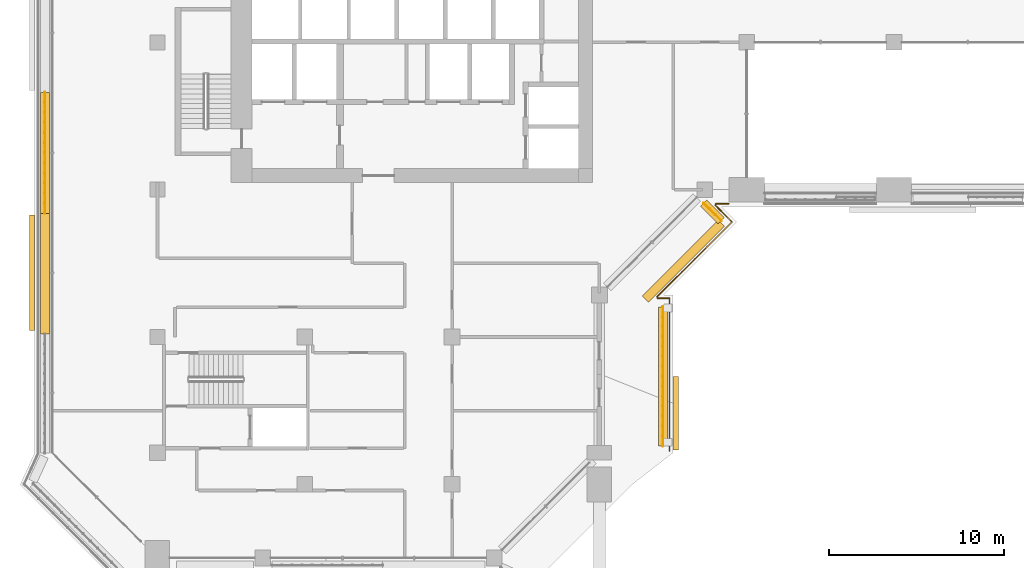
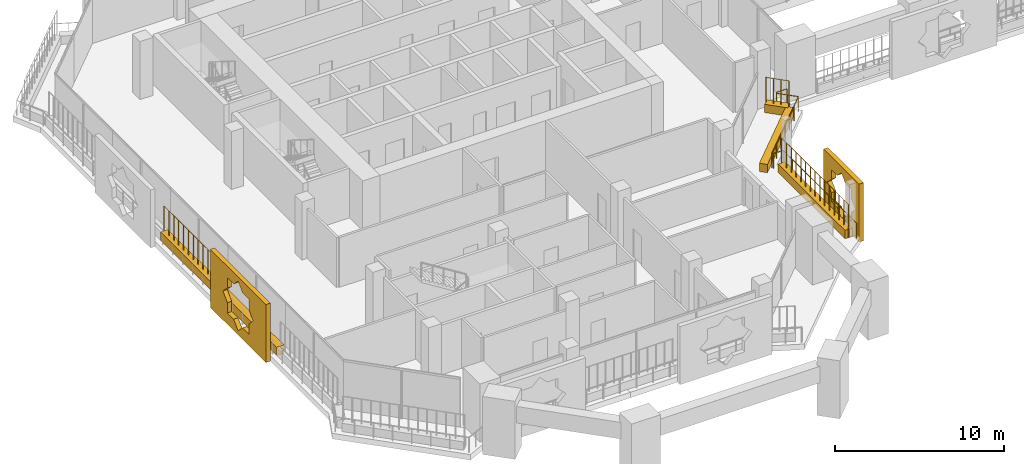
# One storey, part 18 of 23: 7 coverings, 4 railings.
"""IFC4 building model written with IfcOpenShell, lengths in metres."""

from ifc_helpers import new_model, si_unit, direction, frame, origin, origin_2d, place, context, subcontext, project, spatial, polyline, rectangle, circle, outline, extrude, material, material_profile, profile_set, type_object, element, save


model = new_model("IFC4")

# Units and contexts
model_context = context("Model", 3, precision=1e-05, world=origin(), true_north=direction((0.0, 1.0)))
body_context = subcontext(model_context, "Body", "Model", "MODEL_VIEW")
ifc_project = project(units=[si_unit("LENGTHUNIT", "METRE"), si_unit("AREAUNIT", "SQUARE_METRE"), si_unit("VOLUMEUNIT", "CUBIC_METRE"), si_unit("PLANEANGLEUNIT", "RADIAN"), si_unit("MASSUNIT", "GRAM", prefix="KILO")], contexts=[model_context])

# Site, building, storey
site_placement = place(None, origin())
site = spatial("IfcSite", under=ifc_project, at=site_placement, CompositionType="ELEMENT")
building_placement = place(site_placement, origin())
building = spatial("IfcBuilding", under=site, at=building_placement, Name="Kawkab Arch Medical Tower", CompositionType="ELEMENT")
storey_placement = place(building_placement, frame((0.0, 0.0, 222.199951171875)))
storey = spatial("IfcBuildingStorey", under=building, at=storey_placement, Name="L51", CompositionType="ELEMENT", Elevation=222.199951171875)

# Railing
ifc_material_1 = material(Name="Bronze anodised aluminium guard", Category="aluminium")
railing_type_1 = type_object("IfcRailingType", Name="Loggia and terrace guard 1100", PredefinedType="GUARDRAIL", material=ifc_material_1)
railing_1_placement = place(storey_placement, frame((32.570068359375, -26.0, 0.0)))
element("IfcRailing", 1, at=railing_1_placement, inside=storey, type_object=railing_type_1, Name="Guard L51.LOG-01.2.5", PredefinedType="GUARDRAIL", context=body_context, shape_type="SweptSolid", body=[
    extrude(circle(Radius=0.02392578125, at=origin_2d()), frame((0.0, 0.0, 1.076171875), z_axis=(-1.0, 0.0, 0.0), x_axis=(0.0, -1.0, 0.0)), (0.0, 0.0, 1.0), 0.719970703125),
    extrude(circle(Radius=0.02392578125, at=origin_2d()), frame((-0.719970703125, 0.0, 1.076171875), z_axis=(-0.383763674343, -0.923431341387, 0.0), x_axis=(0.923431341387, -0.383763674343, 0.0)), (0.0, 0.0, 1.0), 0.101806640625),
    extrude(circle(Radius=0.02392578125, at=origin_2d()), frame((-0.759033203125, -0.093994140625, 1.076171875), z_axis=(0.707015335112, -0.707198215437, 0.0), x_axis=(0.707198215437, 0.707015335112, 0.0)), (0.0, 0.0, 1.0), 1.3349609375),
    extrude(circle(Radius=0.02392578125, at=origin_2d()), frame((0.184814453125, -1.0380859375, 1.076171875), z_axis=(-0.707025867263, -0.707187685852, 0.0), x_axis=(0.707187685852, -0.707025867263, 0.0)), (0.0, 0.0, 1.0), 6.034912109375),
    extrude(circle(Radius=0.02392578125, at=origin_2d()), frame((-4.08203125, -5.305908203125, 1.076171875), z_axis=(0.383763674343, -0.923431341387, 0.0), x_axis=(0.923431341387, 0.383763674343, 0.0)), (0.0, 0.0, 1.0), 0.101806640625),
    extrude(circle(Radius=0.02392578125, at=origin_2d()), frame((-4.04296875, -5.39990234375, 1.076171875), z_axis=(1.0, 0.0, 0.0), x_axis=(0.0, 1.0, 0.0)), (0.0, 0.0, 1.0), 0.6728515625),
    extrude(circle(Radius=0.02392578125, at=origin_2d()), frame((-3.3701171875, -5.39990234375, 1.076171875), z_axis=(0.0, -1.0, 0.0), x_axis=(1.0, 0.0, 0.0)), (0.0, 0.0, 1.0), 8.7021484375),
    extrude(circle(Radius=0.02099609375, at=origin_2d()), origin(), (0.0, 0.0, 1.0), 1.052001953125),
    extrude(circle(Radius=0.02099609375, at=origin_2d()), frame((-0.719970703125, 0.0, 0.0)), (0.0, 0.0, 1.0), 1.052001953125),
    extrude(circle(Radius=0.02099609375, at=origin_2d()), frame((-0.759033203125, -0.093994140625, 0.0)), (0.0, 0.0, 1.0), 1.052001953125),
    extrude(circle(Radius=0.02099609375, at=origin_2d()), frame((-0.287109375, -0.56591796875, 0.0)), (0.0, 0.0, 1.0), 1.052001953125),
    extrude(circle(Radius=0.02099609375, at=origin_2d()), frame((0.184814453125, -1.0380859375, 0.0)), (0.0, 0.0, 1.0), 1.052001953125),
    extrude(circle(Radius=0.02099609375, at=origin_2d()), frame((-0.5263671875, -1.74951171875, 0.0)), (0.0, 0.0, 1.0), 1.052001953125),
    extrude(circle(Radius=0.02099609375, at=origin_2d()), frame((-1.237548828125, -2.460693359375, 0.0)), (0.0, 0.0, 1.0), 1.052001953125),
    extrude(circle(Radius=0.02099609375, at=origin_2d()), frame((-1.94873046875, -3.171875, 0.0)), (0.0, 0.0, 1.0), 1.052001953125),
    extrude(circle(Radius=0.02099609375, at=origin_2d()), frame((-2.65966796875, -3.88330078125, 0.0)), (0.0, 0.0, 1.0), 1.052001953125),
    extrude(circle(Radius=0.02099609375, at=origin_2d()), frame((-3.370849609375, -4.5947265625, 0.0)), (0.0, 0.0, 1.0), 1.052001953125),
    extrude(circle(Radius=0.02099609375, at=origin_2d()), frame((-4.08203125, -5.305908203125, 0.0)), (0.0, 0.0, 1.0), 1.052001953125),
    extrude(circle(Radius=0.02099609375, at=origin_2d()), frame((-4.04296875, -5.39990234375, 0.0)), (0.0, 0.0, 1.0), 1.052001953125),
    extrude(circle(Radius=0.02099609375, at=origin_2d()), frame((-3.3701171875, -5.39990234375, 0.0)), (0.0, 0.0, 1.0), 1.052001953125),
    extrude(circle(Radius=0.02099609375, at=origin_2d()), frame((-3.3701171875, -6.48779296875, 0.0)), (0.0, 0.0, 1.0), 1.052001953125),
    extrude(circle(Radius=0.02099609375, at=origin_2d()), frame((-3.3701171875, -7.575439453125, 0.0)), (0.0, 0.0, 1.0), 1.052001953125),
    extrude(circle(Radius=0.02099609375, at=origin_2d()), frame((-3.3701171875, -8.6630859375, 0.0)), (0.0, 0.0, 1.0), 1.052001953125),
    extrude(circle(Radius=0.02099609375, at=origin_2d()), frame((-3.3701171875, -9.7509765625, 0.0)), (0.0, 0.0, 1.0), 1.052001953125),
    extrude(circle(Radius=0.02099609375, at=origin_2d()), frame((-3.3701171875, -10.8388671875, 0.0)), (0.0, 0.0, 1.0), 1.052001953125),
    extrude(circle(Radius=0.02099609375, at=origin_2d()), frame((-3.3701171875, -11.926513671875, 0.0)), (0.0, 0.0, 1.0), 1.052001953125),
    extrude(circle(Radius=0.02099609375, at=origin_2d()), frame((-3.3701171875, -13.01416015625, 0.0)), (0.0, 0.0, 1.0), 1.052001953125),
    extrude(circle(Radius=0.02099609375, at=origin_2d()), frame((-3.3701171875, -14.10205078125, 0.0)), (0.0, 0.0, 1.0), 1.052001953125),
])

# Coverings
ifc_material_2 = material(Name="Bronze anodised aluminium mashrabiya panel, eight-point star pattern", Category="aluminium")
ifc_material_profile_1 = material_profile(ifc_material_2, outline(polyline([(-2.10009765625, -2.10009765625), (2.10009765625, -2.10009765625), (2.10009765625, 2.10009765625), (-2.10009765625, 2.10009765625), (-2.10009765625, -2.10009765625)]), holes=[polyline([(1.64990234375, 0.0), (1.166748046875, 0.4833984375), (1.166748046875, 1.166748046875), (0.4833984375, 1.166748046875), (0.0, 1.64990234375), (-0.4833984375, 1.166748046875), (-1.166748046875, 1.166748046875), (-1.166748046875, 0.4833984375), (-1.64990234375, 0.0), (-1.166748046875, -0.4833984375), (-1.166748046875, -1.166748046875), (-0.4833984375, -1.166748046875), (0.0, -1.64990234375), (0.4833984375, -1.166748046875), (1.166748046875, -1.166748046875), (1.166748046875, -0.4833984375), (1.64990234375, 0.0)])]), Name="Mashrabiya panel 4200x4200")
ifc_profile_set_1 = profile_set([ifc_material_profile_1], Name="Bronze anodised aluminium mashrabiya panel, eight-point star pattern")
covering_type_1 = type_object("IfcCoveringType", Name="Mashrabiya panel 4200 x 4200", PredefinedType="USERDEFINED", material=ifc_profile_set_1)
covering_1_placement = place(storey_placement, frame((29.39990234375, -37.94873046875, 1.699951171875), z_axis=(1.0, 0.0, 0.0), x_axis=(0.0, 1.0, 0.0)))
element("IfcCovering", 2, at=covering_1_placement, inside=storey, type_object=covering_type_1, Name="Mashrabiya panel L51.LOG-01-02.12", ObjectType="SCREEN", PredefinedType="USERDEFINED", context=body_context, shape_type="SweptSolid", body=[
    extrude(outline(polyline([(-2.10009765625, -2.10009765625), (2.10009765625, -2.10009765625), (2.10009765625, 2.10009765625), (-2.10009765625, 2.10009765625), (-2.10009765625, -2.10009765625)]), holes=[polyline([(1.64990234375, 0.0), (1.166748046875, 0.4833984375), (1.166748046875, 1.166748046875), (0.4833984375, 1.166748046875), (0.0, 1.64990234375), (-0.4833984375, 1.166748046875), (-1.166748046875, 1.166748046875), (-1.166748046875, 0.4833984375), (-1.64990234375, 0.0), (-1.166748046875, -0.4833984375), (-1.166748046875, -1.166748046875), (-0.4833984375, -1.166748046875), (0.0, -1.64990234375), (0.4833984375, -1.166748046875), (1.166748046875, -1.166748046875), (1.166748046875, -0.4833984375), (1.64990234375, 0.0)])]), origin(), (0.0, 0.0, 1.0), 0.300048828125),
])
ifc_material_3 = material(Name="Bronze anodised aluminium mashrabiya panel, eight-point star pattern", Category="aluminium")
ifc_material_profile_2 = material_profile(ifc_material_3, outline(polyline([(-3.300048828125, -2.10009765625), (3.300048828125, -2.10009765625), (3.300048828125, 2.10009765625), (-3.300048828125, 2.10009765625), (-3.300048828125, -2.10009765625)]), holes=[polyline([(1.800048828125, 0.0), (1.272705078125, 0.527099609375), (1.272705078125, 1.272705078125), (0.527099609375, 1.272705078125), (0.0, 1.800048828125), (-0.527099609375, 1.272705078125), (-1.272705078125, 1.272705078125), (-1.272705078125, 0.527099609375), (-1.800048828125, 0.0), (-1.272705078125, -0.527099609375), (-1.272705078125, -1.272705078125), (-0.527099609375, -1.272705078125), (0.0, -1.800048828125), (0.527099609375, -1.272705078125), (1.272705078125, -1.272705078125), (1.272705078125, -0.527099609375), (1.800048828125, 0.0)])]), Name="Mashrabiya panel 6600x4200")
ifc_profile_set_2 = profile_set([ifc_material_profile_2], Name="Bronze anodised aluminium mashrabiya panel, eight-point star pattern")
covering_type_2 = type_object("IfcCoveringType", Name="Mashrabiya panel 6600 x 4200", PredefinedType="USERDEFINED", material=ifc_profile_set_2)
covering_2_placement = place(storey_placement, frame((-7.0, -29.94091796875, 1.699951171875), z_axis=(-1.0, 0.0, 0.0), x_axis=(0.0, -1.0, 0.0)))
element("IfcCovering", 3, at=covering_2_placement, inside=storey, type_object=covering_type_2, Name="Mashrabiya panel L51.LOG-01-02.3", ObjectType="SCREEN", PredefinedType="USERDEFINED", context=body_context, shape_type="SweptSolid", body=[
    extrude(outline(polyline([(-3.300048828125, -2.10009765625), (3.300048828125, -2.10009765625), (3.300048828125, 2.10009765625), (-3.300048828125, 2.10009765625), (-3.300048828125, -2.10009765625)]), holes=[polyline([(1.800048828125, 0.0), (1.272705078125, 0.527099609375), (1.272705078125, 1.272705078125), (0.527099609375, 1.272705078125), (0.0, 1.800048828125), (-0.527099609375, 1.272705078125), (-1.272705078125, 1.272705078125), (-1.272705078125, 0.527099609375), (-1.800048828125, 0.0), (-1.272705078125, -0.527099609375), (-1.272705078125, -1.272705078125), (-0.527099609375, -1.272705078125), (0.0, -1.800048828125), (0.527099609375, -1.272705078125), (1.272705078125, -1.272705078125), (1.272705078125, -0.527099609375), (1.800048828125, 0.0)])]), origin(), (0.0, 0.0, 1.0), 0.300048828125),
])
ifc_material_4 = material(Name="Planting soil in a precast trough", Category="concrete")
ifc_material_profile_3 = material_profile(ifc_material_4, rectangle(XDim=0.5, YDim=0.60009765625, at=origin_2d()), Name="Trough 500x600")
ifc_profile_set_3 = profile_set([ifc_material_profile_3], Name="Planting soil in a precast trough")
covering_type_3 = type_object("IfcCoveringType", Name="Planter trough 500 x 600", PredefinedType="USERDEFINED", material=ifc_profile_set_3)
covering_3_placement = place(storey_placement, frame((-6.419921875, -33.43603515625, 0.300048828125), z_axis=(0.0, 1.0, 0.0), x_axis=(-1.0, 0.0, 0.0)))
element("IfcCovering", 4, at=covering_3_placement, inside=storey, type_object=covering_type_3, Name="Planter L51.LOG-01-02.8", ObjectType="PLANTER", PredefinedType="USERDEFINED", context=body_context, shape_type="SweptSolid", body=[
    extrude(rectangle(XDim=0.5, YDim=0.60009765625, at=origin_2d()), origin(), (0.0, 0.0, 1.0), 6.89111328125),
])
covering_4_placement = place(storey_placement, frame((-6.419921875, -26.544921875, 0.300048828125), z_axis=(0.0, 1.0, 0.0), x_axis=(-1.0, 0.0, 0.0)))
element("IfcCovering", 5, at=covering_4_placement, inside=storey, type_object=covering_type_3, Name="Planter L51.LOG-01-02.9", ObjectType="PLANTER", PredefinedType="USERDEFINED", context=body_context, shape_type="SweptSolid", body=[
    extrude(rectangle(XDim=0.5, YDim=0.60009765625, at=origin_2d()), origin(), (0.0, 0.0, 1.0), 6.889892578125),
])
covering_5_placement = place(storey_placement, frame((31.14306640625, -25.962890625, 0.300048828125), z_axis=(0.707020805532, -0.707192746389, 0.0), x_axis=(0.707192746389, 0.707020805532, 0.0)))
element("IfcCovering", 6, at=covering_5_placement, inside=storey, type_object=covering_type_3, Name="Planter L51.LOG-01-02.43", ObjectType="PLANTER", PredefinedType="USERDEFINED", context=body_context, shape_type="SweptSolid", body=[
    extrude(rectangle(XDim=0.5, YDim=0.60009765625, at=origin_2d()), origin(), (0.0, 0.0, 1.0), 1.419921875),
])
covering_6_placement = place(storey_placement, frame((32.14697265625, -27.10888671875, 0.300048828125), z_axis=(-0.707007043994, -0.707206504313, 0.0), x_axis=(0.707206504313, -0.707007043994, 0.0)))
element("IfcCovering", 7, at=covering_6_placement, inside=storey, type_object=covering_type_3, Name="Planter L51.LOG-01-02.44", ObjectType="PLANTER", PredefinedType="USERDEFINED", context=body_context, shape_type="SweptSolid", body=[
    extrude(rectangle(XDim=0.5, YDim=0.60009765625, at=origin_2d()), origin(), (0.0, 0.0, 1.0), 6.1201171875),
])
covering_7_placement = place(storey_placement, frame((28.820068359375, -31.8798828125, 0.300048828125), z_axis=(0.0, -1.0, 0.0), x_axis=(1.0, 0.0, 0.0)))
element("IfcCovering", 8, at=covering_7_placement, inside=storey, type_object=covering_type_3, Name="Planter L51.LOG-01-02.45", ObjectType="PLANTER", PredefinedType="USERDEFINED", context=body_context, shape_type="SweptSolid", body=[
    extrude(rectangle(XDim=0.5, YDim=0.60009765625, at=origin_2d()), origin(), (0.0, 0.0, 1.0), 7.93603515625),
])

# Railings
ifc_material_5 = material(Name="Bronze anodised aluminium trellis for climbing plants", Category="aluminium")
railing_type_2 = type_object("IfcRailingType", Name="Planting trellis 2400", PredefinedType="USERDEFINED", material=ifc_material_5)
railing_2_placement = place(storey_placement, frame((-6.419921875, -26.544921875, 0.0)))
element("IfcRailing", 9, at=railing_2_placement, inside=storey, type_object=railing_type_2, Name="Planting trellis L51.LOG-01-02.9", ObjectType="TRELLIS", PredefinedType="USERDEFINED", context=body_context, shape_type="SweptSolid", body=[
    extrude(circle(Radius=0.01513671875, at=origin_2d()), frame((0.0, 0.0, 2.384765625), z_axis=(0.0, 1.0, 0.0), x_axis=(-1.0, 0.0, 0.0)), (0.0, 0.0, 1.0), 6.889892578125),
    extrude(circle(Radius=0.030029296875, at=origin_2d()), origin(), (0.0, 0.0, 1.0), 2.369873046875),
    extrude(circle(Radius=0.030029296875, at=origin_2d()), frame((0.0, 0.57421875, 0.0)), (0.0, 0.0, 1.0), 2.369873046875),
    extrude(circle(Radius=0.030029296875, at=origin_2d()), frame((0.0, 1.1484375, 0.0)), (0.0, 0.0, 1.0), 2.369873046875),
    extrude(circle(Radius=0.030029296875, at=origin_2d()), frame((0.0, 1.722412109375, 0.0)), (0.0, 0.0, 1.0), 2.369873046875),
    extrude(circle(Radius=0.030029296875, at=origin_2d()), frame((0.0, 2.296630859375, 0.0)), (0.0, 0.0, 1.0), 2.369873046875),
    extrude(circle(Radius=0.030029296875, at=origin_2d()), frame((0.0, 2.870849609375, 0.0)), (0.0, 0.0, 1.0), 2.369873046875),
    extrude(circle(Radius=0.030029296875, at=origin_2d()), frame((0.0, 3.44482421875, 0.0)), (0.0, 0.0, 1.0), 2.369873046875),
    extrude(circle(Radius=0.030029296875, at=origin_2d()), frame((0.0, 4.01904296875, 0.0)), (0.0, 0.0, 1.0), 2.369873046875),
    extrude(circle(Radius=0.030029296875, at=origin_2d()), frame((0.0, 4.59326171875, 0.0)), (0.0, 0.0, 1.0), 2.369873046875),
    extrude(circle(Radius=0.030029296875, at=origin_2d()), frame((0.0, 5.16748046875, 0.0)), (0.0, 0.0, 1.0), 2.369873046875),
    extrude(circle(Radius=0.030029296875, at=origin_2d()), frame((0.0, 5.74169921875, 0.0)), (0.0, 0.0, 1.0), 2.369873046875),
    extrude(circle(Radius=0.030029296875, at=origin_2d()), frame((0.0, 6.315673828125, 0.0)), (0.0, 0.0, 1.0), 2.369873046875),
    extrude(circle(Radius=0.030029296875, at=origin_2d()), frame((0.0, 6.889892578125, 0.0)), (0.0, 0.0, 1.0), 2.369873046875),
])
railing_3_placement = place(storey_placement, frame((31.14306640625, -25.962890625, 0.0)))
element("IfcRailing", 10, at=railing_3_placement, inside=storey, type_object=railing_type_2, Name="Planting trellis L51.LOG-01-02.43", ObjectType="TRELLIS", PredefinedType="USERDEFINED", context=body_context, shape_type="SweptSolid", body=[
    extrude(circle(Radius=0.01513671875, at=origin_2d()), frame((0.0, 0.0, 2.384765625), z_axis=(0.707020805532, -0.707192746389, 0.0), x_axis=(0.707192746389, 0.707020805532, 0.0)), (0.0, 0.0, 1.0), 1.419921875),
    extrude(circle(Radius=0.030029296875, at=origin_2d()), origin(), (0.0, 0.0, 1.0), 2.369873046875),
    extrude(circle(Radius=0.030029296875, at=origin_2d()), frame((0.334716796875, -0.334716796875, 0.0)), (0.0, 0.0, 1.0), 2.369873046875),
    extrude(circle(Radius=0.030029296875, at=origin_2d()), frame((0.669189453125, -0.66943359375, 0.0)), (0.0, 0.0, 1.0), 2.369873046875),
    extrude(circle(Radius=0.030029296875, at=origin_2d()), frame((1.00390625, -1.004150390625, 0.0)), (0.0, 0.0, 1.0), 2.369873046875),
])
railing_4_placement = place(storey_placement, frame((28.820068359375, -31.8798828125, 0.0)))
element("IfcRailing", 11, at=railing_4_placement, inside=storey, type_object=railing_type_2, Name="Planting trellis L51.LOG-01-02.45", ObjectType="TRELLIS", PredefinedType="USERDEFINED", context=body_context, shape_type="SweptSolid", body=[
    extrude(circle(Radius=0.01513671875, at=origin_2d()), frame((0.0, 0.0, 2.384765625), z_axis=(0.0, -1.0, 0.0), x_axis=(1.0, 0.0, 0.0)), (0.0, 0.0, 1.0), 7.93603515625),
    extrude(circle(Radius=0.030029296875, at=origin_2d()), origin(), (0.0, 0.0, 1.0), 2.369873046875),
    extrude(circle(Radius=0.030029296875, at=origin_2d()), frame((0.0, -0.56689453125, 0.0)), (0.0, 0.0, 1.0), 2.369873046875),
    extrude(circle(Radius=0.030029296875, at=origin_2d()), frame((0.0, -1.1337890625, 0.0)), (0.0, 0.0, 1.0), 2.369873046875),
    extrude(circle(Radius=0.030029296875, at=origin_2d()), frame((0.0, -1.70068359375, 0.0)), (0.0, 0.0, 1.0), 2.369873046875),
    extrude(circle(Radius=0.030029296875, at=origin_2d()), frame((0.0, -2.267333984375, 0.0)), (0.0, 0.0, 1.0), 2.369873046875),
    extrude(circle(Radius=0.030029296875, at=origin_2d()), frame((0.0, -2.834228515625, 0.0)), (0.0, 0.0, 1.0), 2.369873046875),
    extrude(circle(Radius=0.030029296875, at=origin_2d()), frame((0.0, -3.401123046875, 0.0)), (0.0, 0.0, 1.0), 2.369873046875),
    extrude(circle(Radius=0.030029296875, at=origin_2d()), frame((0.0, -3.968017578125, 0.0)), (0.0, 0.0, 1.0), 2.369873046875),
    extrude(circle(Radius=0.030029296875, at=origin_2d()), frame((0.0, -4.534912109375, 0.0)), (0.0, 0.0, 1.0), 2.369873046875),
    extrude(circle(Radius=0.030029296875, at=origin_2d()), frame((0.0, -5.101806640625, 0.0)), (0.0, 0.0, 1.0), 2.369873046875),
    extrude(circle(Radius=0.030029296875, at=origin_2d()), frame((0.0, -5.668701171875, 0.0)), (0.0, 0.0, 1.0), 2.369873046875),
    extrude(circle(Radius=0.030029296875, at=origin_2d()), frame((0.0, -6.2353515625, 0.0)), (0.0, 0.0, 1.0), 2.369873046875),
    extrude(circle(Radius=0.030029296875, at=origin_2d()), frame((0.0, -6.80224609375, 0.0)), (0.0, 0.0, 1.0), 2.369873046875),
    extrude(circle(Radius=0.030029296875, at=origin_2d()), frame((0.0, -7.369140625, 0.0)), (0.0, 0.0, 1.0), 2.369873046875),
    extrude(circle(Radius=0.030029296875, at=origin_2d()), frame((0.0, -7.93603515625, 0.0)), (0.0, 0.0, 1.0), 2.369873046875),
])

save(model, "model.ifc")
